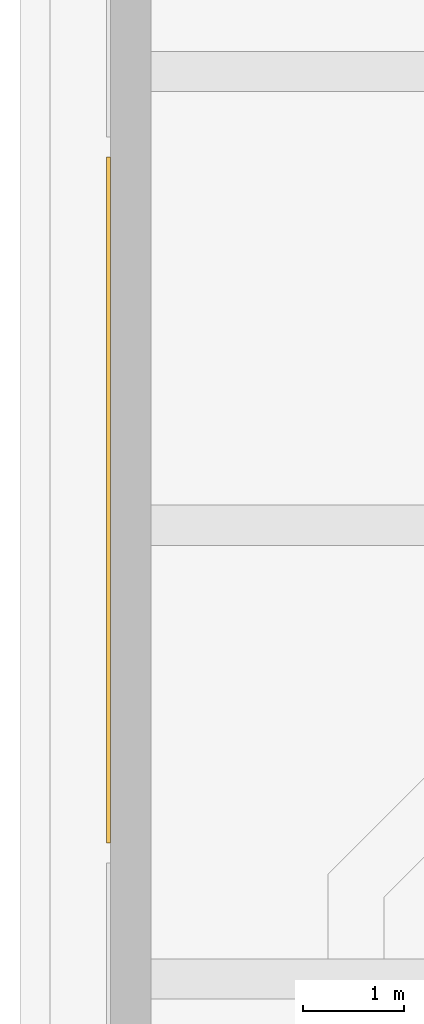
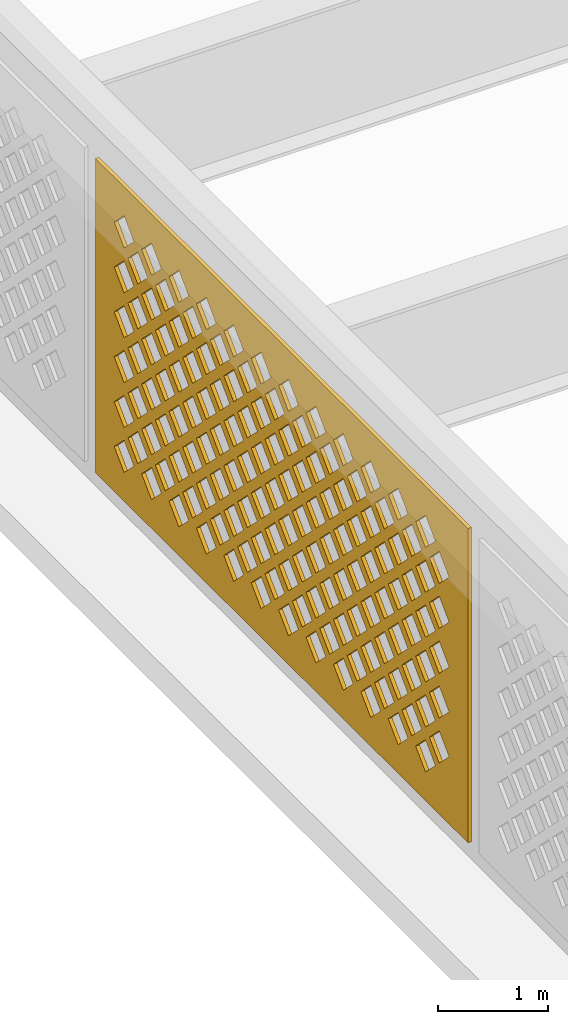
# One storey, part 28 of 63: 1 covering.
"""IFC4 building model written with IfcOpenShell, lengths in metres."""

from ifc_helpers import new_model, si_unit, direction, frame, origin, place, context, subcontext, project, spatial, polyline, outline, extrude, material, layer, layer_set, type_object, element, save


model = new_model("IFC4")

# Units and contexts
model_context = context("Model", 3, precision=1e-05, world=origin(), true_north=direction((0.0, 1.0)))
body_context = subcontext(model_context, "Body", "Model", "MODEL_VIEW")
ifc_project = project(units=[si_unit("LENGTHUNIT", "METRE"), si_unit("AREAUNIT", "SQUARE_METRE"), si_unit("VOLUMEUNIT", "CUBIC_METRE"), si_unit("PLANEANGLEUNIT", "RADIAN"), si_unit("MASSUNIT", "GRAM", prefix="KILO")], contexts=[model_context])

# Site, building, storey
site_placement = place(None, origin())
site = spatial("IfcSite", under=ifc_project, at=site_placement, CompositionType="ELEMENT")
building_placement = place(site_placement, origin())
building = spatial("IfcBuilding", under=site, at=building_placement, Name="Noorbagh Ring Tower", CompositionType="ELEMENT")
storey_placement = place(building_placement, frame((0.0, 0.0, 25.0)))
storey = spatial("IfcBuildingStorey", under=building, at=storey_placement, Name="L04", CompositionType="ELEMENT", Elevation=25.0)

# Covering
ifc_material = material(Name="Red sandstone jali", Category="masonry")
ifc_layer = layer(ifc_material, 0.0400390625)
ifc_layer_set = layer_set([ifc_layer], Name="Red sandstone jali")
covering_type = type_object("IfcCoveringType", Name="STH-BAND", PredefinedType="USERDEFINED", material=ifc_layer_set)
covering_placement = place(storey_placement, frame((-160.0400390625, 15.39990234375, 0.199951171875), z_axis=(-1.0, 0.0, 0.0), x_axis=(0.0, -1.0, 0.0)))
element("IfcCovering", 1, at=covering_placement, inside=storey, type_object=covering_type, Name="Jali band of the stage house", ObjectType="JALI SCREEN", PredefinedType="USERDEFINED", context=body_context, shape_type="SweptSolid", body=[
    extrude(outline(polyline([(0.0, 0.0), (6.7998046875, 0.0), (6.7998046875, 3.5), (0.0, 3.5), (0.0, 0.0)]), holes=[polyline([(0.344970703125, 0.5), (0.52490234375, 0.320068359375), (0.705078125, 0.5), (0.52490234375, 0.679931640625), (0.344970703125, 0.5)]), polyline([(0.844970703125, 0.5), (1.02490234375, 0.320068359375), (1.205078125, 0.5), (1.02490234375, 0.679931640625), (0.844970703125, 0.5)]), polyline([(1.344970703125, 0.5), (1.52490234375, 0.320068359375), (1.705078125, 0.5), (1.52490234375, 0.679931640625), (1.344970703125, 0.5)]), polyline([(1.844970703125, 0.5), (2.02490234375, 0.320068359375), (2.205078125, 0.5), (2.02490234375, 0.679931640625), (1.844970703125, 0.5)]), polyline([(2.344970703125, 0.5), (2.52490234375, 0.320068359375), (2.705078125, 0.5), (2.52490234375, 0.679931640625), (2.344970703125, 0.5)]), polyline([(2.844970703125, 0.5), (3.02490234375, 0.320068359375), (3.205078125, 0.5), (3.02490234375, 0.679931640625), (2.844970703125, 0.5)]), polyline([(3.344970703125, 0.5), (3.52490234375, 0.320068359375), (3.705078125, 0.5), (3.52490234375, 0.679931640625), (3.344970703125, 0.5)]), polyline([(3.844970703125, 0.5), (4.02490234375, 0.320068359375), (4.205078125, 0.5), (4.02490234375, 0.679931640625), (3.844970703125, 0.5)]), polyline([(4.344970703125, 0.5), (4.52490234375, 0.320068359375), (4.705078125, 0.5), (4.52490234375, 0.679931640625), (4.344970703125, 0.5)]), polyline([(4.844970703125, 0.5), (5.02490234375, 0.320068359375), (5.205078125, 0.5), (5.02490234375, 0.679931640625), (4.844970703125, 0.5)]), polyline([(5.344970703125, 0.5), (5.52490234375, 0.320068359375), (5.705078125, 0.5), (5.52490234375, 0.679931640625), (5.344970703125, 0.5)]), polyline([(5.844970703125, 0.5), (6.02490234375, 0.320068359375), (6.205078125, 0.5), (6.02490234375, 0.679931640625), (5.844970703125, 0.5)]), polyline([(0.594970703125, 0.75), (0.77490234375, 0.570068359375), (0.955078125, 0.75), (0.77490234375, 0.929931640625), (0.594970703125, 0.75)]), polyline([(1.094970703125, 0.75), (1.27490234375, 0.570068359375), (1.455078125, 0.75), (1.27490234375, 0.929931640625), (1.094970703125, 0.75)]), polyline([(1.594970703125, 0.75), (1.77490234375, 0.570068359375), (1.955078125, 0.75), (1.77490234375, 0.929931640625), (1.594970703125, 0.75)]), polyline([(2.094970703125, 0.75), (2.27490234375, 0.570068359375), (2.455078125, 0.75), (2.27490234375, 0.929931640625), (2.094970703125, 0.75)]), polyline([(2.594970703125, 0.75), (2.77490234375, 0.570068359375), (2.955078125, 0.75), (2.77490234375, 0.929931640625), (2.594970703125, 0.75)]), polyline([(3.094970703125, 0.75), (3.27490234375, 0.570068359375), (3.455078125, 0.75), (3.27490234375, 0.929931640625), (3.094970703125, 0.75)]), polyline([(3.594970703125, 0.75), (3.77490234375, 0.570068359375), (3.955078125, 0.75), (3.77490234375, 0.929931640625), (3.594970703125, 0.75)]), polyline([(4.094970703125, 0.75), (4.27490234375, 0.570068359375), (4.455078125, 0.75), (4.27490234375, 0.929931640625), (4.094970703125, 0.75)]), polyline([(4.594970703125, 0.75), (4.77490234375, 0.570068359375), (4.955078125, 0.75), (4.77490234375, 0.929931640625), (4.594970703125, 0.75)]), polyline([(5.094970703125, 0.75), (5.27490234375, 0.570068359375), (5.455078125, 0.75), (5.27490234375, 0.929931640625), (5.094970703125, 0.75)]), polyline([(5.594970703125, 0.75), (5.77490234375, 0.570068359375), (5.955078125, 0.75), (5.77490234375, 0.929931640625), (5.594970703125, 0.75)]), polyline([(6.094970703125, 0.75), (6.27490234375, 0.570068359375), (6.455078125, 0.75), (6.27490234375, 0.929931640625), (6.094970703125, 0.75)]), polyline([(0.344970703125, 1.0), (0.52490234375, 0.820068359375), (0.705078125, 1.0), (0.52490234375, 1.179931640625), (0.344970703125, 1.0)]), polyline([(0.844970703125, 1.0), (1.02490234375, 0.820068359375), (1.205078125, 1.0), (1.02490234375, 1.179931640625), (0.844970703125, 1.0)]), polyline([(1.344970703125, 1.0), (1.52490234375, 0.820068359375), (1.705078125, 1.0), (1.52490234375, 1.179931640625), (1.344970703125, 1.0)]), polyline([(1.844970703125, 1.0), (2.02490234375, 0.820068359375), (2.205078125, 1.0), (2.02490234375, 1.179931640625), (1.844970703125, 1.0)]), polyline([(2.344970703125, 1.0), (2.52490234375, 0.820068359375), (2.705078125, 1.0), (2.52490234375, 1.179931640625), (2.344970703125, 1.0)]), polyline([(2.844970703125, 1.0), (3.02490234375, 0.820068359375), (3.205078125, 1.0), (3.02490234375, 1.179931640625), (2.844970703125, 1.0)]), polyline([(3.344970703125, 1.0), (3.52490234375, 0.820068359375), (3.705078125, 1.0), (3.52490234375, 1.179931640625), (3.344970703125, 1.0)]), polyline([(3.844970703125, 1.0), (4.02490234375, 0.820068359375), (4.205078125, 1.0), (4.02490234375, 1.179931640625), (3.844970703125, 1.0)]), polyline([(4.344970703125, 1.0), (4.52490234375, 0.820068359375), (4.705078125, 1.0), (4.52490234375, 1.179931640625), (4.344970703125, 1.0)]), polyline([(4.844970703125, 1.0), (5.02490234375, 0.820068359375), (5.205078125, 1.0), (5.02490234375, 1.179931640625), (4.844970703125, 1.0)]), polyline([(5.344970703125, 1.0), (5.52490234375, 0.820068359375), (5.705078125, 1.0), (5.52490234375, 1.179931640625), (5.344970703125, 1.0)]), polyline([(5.844970703125, 1.0), (6.02490234375, 0.820068359375), (6.205078125, 1.0), (6.02490234375, 1.179931640625), (5.844970703125, 1.0)]), polyline([(0.594970703125, 1.25), (0.77490234375, 1.070068359375), (0.955078125, 1.25), (0.77490234375, 1.429931640625), (0.594970703125, 1.25)]), polyline([(1.094970703125, 1.25), (1.27490234375, 1.070068359375), (1.455078125, 1.25), (1.27490234375, 1.429931640625), (1.094970703125, 1.25)]), polyline([(1.594970703125, 1.25), (1.77490234375, 1.070068359375), (1.955078125, 1.25), (1.77490234375, 1.429931640625), (1.594970703125, 1.25)]), polyline([(2.094970703125, 1.25), (2.27490234375, 1.070068359375), (2.455078125, 1.25), (2.27490234375, 1.429931640625), (2.094970703125, 1.25)]), polyline([(2.594970703125, 1.25), (2.77490234375, 1.070068359375), (2.955078125, 1.25), (2.77490234375, 1.429931640625), (2.594970703125, 1.25)]), polyline([(3.094970703125, 1.25), (3.27490234375, 1.070068359375), (3.455078125, 1.25), (3.27490234375, 1.429931640625), (3.094970703125, 1.25)]), polyline([(3.594970703125, 1.25), (3.77490234375, 1.070068359375), (3.955078125, 1.25), (3.77490234375, 1.429931640625), (3.594970703125, 1.25)]), polyline([(4.094970703125, 1.25), (4.27490234375, 1.070068359375), (4.455078125, 1.25), (4.27490234375, 1.429931640625), (4.094970703125, 1.25)]), polyline([(4.594970703125, 1.25), (4.77490234375, 1.070068359375), (4.955078125, 1.25), (4.77490234375, 1.429931640625), (4.594970703125, 1.25)]), polyline([(5.094970703125, 1.25), (5.27490234375, 1.070068359375), (5.455078125, 1.25), (5.27490234375, 1.429931640625), (5.094970703125, 1.25)]), polyline([(5.594970703125, 1.25), (5.77490234375, 1.070068359375), (5.955078125, 1.25), (5.77490234375, 1.429931640625), (5.594970703125, 1.25)]), polyline([(6.094970703125, 1.25), (6.27490234375, 1.070068359375), (6.455078125, 1.25), (6.27490234375, 1.429931640625), (6.094970703125, 1.25)]), polyline([(0.344970703125, 1.5), (0.52490234375, 1.320068359375), (0.705078125, 1.5), (0.52490234375, 1.679931640625), (0.344970703125, 1.5)]), polyline([(0.844970703125, 1.5), (1.02490234375, 1.320068359375), (1.205078125, 1.5), (1.02490234375, 1.679931640625), (0.844970703125, 1.5)]), polyline([(1.344970703125, 1.5), (1.52490234375, 1.320068359375), (1.705078125, 1.5), (1.52490234375, 1.679931640625), (1.344970703125, 1.5)]), polyline([(1.844970703125, 1.5), (2.02490234375, 1.320068359375), (2.205078125, 1.5), (2.02490234375, 1.679931640625), (1.844970703125, 1.5)]), polyline([(2.344970703125, 1.5), (2.52490234375, 1.320068359375), (2.705078125, 1.5), (2.52490234375, 1.679931640625), (2.344970703125, 1.5)]), polyline([(2.844970703125, 1.5), (3.02490234375, 1.320068359375), (3.205078125, 1.5), (3.02490234375, 1.679931640625), (2.844970703125, 1.5)]), polyline([(3.344970703125, 1.5), (3.52490234375, 1.320068359375), (3.705078125, 1.5), (3.52490234375, 1.679931640625), (3.344970703125, 1.5)]), polyline([(3.844970703125, 1.5), (4.02490234375, 1.320068359375), (4.205078125, 1.5), (4.02490234375, 1.679931640625), (3.844970703125, 1.5)]), polyline([(4.344970703125, 1.5), (4.52490234375, 1.320068359375), (4.705078125, 1.5), (4.52490234375, 1.679931640625), (4.344970703125, 1.5)]), polyline([(4.844970703125, 1.5), (5.02490234375, 1.320068359375), (5.205078125, 1.5), (5.02490234375, 1.679931640625), (4.844970703125, 1.5)]), polyline([(5.344970703125, 1.5), (5.52490234375, 1.320068359375), (5.705078125, 1.5), (5.52490234375, 1.679931640625), (5.344970703125, 1.5)]), polyline([(5.844970703125, 1.5), (6.02490234375, 1.320068359375), (6.205078125, 1.5), (6.02490234375, 1.679931640625), (5.844970703125, 1.5)]), polyline([(0.594970703125, 1.75), (0.77490234375, 1.570068359375), (0.955078125, 1.75), (0.77490234375, 1.929931640625), (0.594970703125, 1.75)]), polyline([(1.094970703125, 1.75), (1.27490234375, 1.570068359375), (1.455078125, 1.75), (1.27490234375, 1.929931640625), (1.094970703125, 1.75)]), polyline([(1.594970703125, 1.75), (1.77490234375, 1.570068359375), (1.955078125, 1.75), (1.77490234375, 1.929931640625), (1.594970703125, 1.75)]), polyline([(2.094970703125, 1.75), (2.27490234375, 1.570068359375), (2.455078125, 1.75), (2.27490234375, 1.929931640625), (2.094970703125, 1.75)]), polyline([(2.594970703125, 1.75), (2.77490234375, 1.570068359375), (2.955078125, 1.75), (2.77490234375, 1.929931640625), (2.594970703125, 1.75)]), polyline([(3.094970703125, 1.75), (3.27490234375, 1.570068359375), (3.455078125, 1.75), (3.27490234375, 1.929931640625), (3.094970703125, 1.75)]), polyline([(3.594970703125, 1.75), (3.77490234375, 1.570068359375), (3.955078125, 1.75), (3.77490234375, 1.929931640625), (3.594970703125, 1.75)]), polyline([(4.094970703125, 1.75), (4.27490234375, 1.570068359375), (4.455078125, 1.75), (4.27490234375, 1.929931640625), (4.094970703125, 1.75)]), polyline([(4.594970703125, 1.75), (4.77490234375, 1.570068359375), (4.955078125, 1.75), (4.77490234375, 1.929931640625), (4.594970703125, 1.75)]), polyline([(5.094970703125, 1.75), (5.27490234375, 1.570068359375), (5.455078125, 1.75), (5.27490234375, 1.929931640625), (5.094970703125, 1.75)]), polyline([(5.594970703125, 1.75), (5.77490234375, 1.570068359375), (5.955078125, 1.75), (5.77490234375, 1.929931640625), (5.594970703125, 1.75)]), polyline([(6.094970703125, 1.75), (6.27490234375, 1.570068359375), (6.455078125, 1.75), (6.27490234375, 1.929931640625), (6.094970703125, 1.75)]), polyline([(0.344970703125, 2.0), (0.52490234375, 1.820068359375), (0.705078125, 2.0), (0.52490234375, 2.179931640625), (0.344970703125, 2.0)]), polyline([(0.844970703125, 2.0), (1.02490234375, 1.820068359375), (1.205078125, 2.0), (1.02490234375, 2.179931640625), (0.844970703125, 2.0)]), polyline([(1.344970703125, 2.0), (1.52490234375, 1.820068359375), (1.705078125, 2.0), (1.52490234375, 2.179931640625), (1.344970703125, 2.0)]), polyline([(1.844970703125, 2.0), (2.02490234375, 1.820068359375), (2.205078125, 2.0), (2.02490234375, 2.179931640625), (1.844970703125, 2.0)]), polyline([(2.344970703125, 2.0), (2.52490234375, 1.820068359375), (2.705078125, 2.0), (2.52490234375, 2.179931640625), (2.344970703125, 2.0)]), polyline([(2.844970703125, 2.0), (3.02490234375, 1.820068359375), (3.205078125, 2.0), (3.02490234375, 2.179931640625), (2.844970703125, 2.0)]), polyline([(3.344970703125, 2.0), (3.52490234375, 1.820068359375), (3.705078125, 2.0), (3.52490234375, 2.179931640625), (3.344970703125, 2.0)]), polyline([(3.844970703125, 2.0), (4.02490234375, 1.820068359375), (4.205078125, 2.0), (4.02490234375, 2.179931640625), (3.844970703125, 2.0)]), polyline([(4.344970703125, 2.0), (4.52490234375, 1.820068359375), (4.705078125, 2.0), (4.52490234375, 2.179931640625), (4.344970703125, 2.0)]), polyline([(4.844970703125, 2.0), (5.02490234375, 1.820068359375), (5.205078125, 2.0), (5.02490234375, 2.179931640625), (4.844970703125, 2.0)]), polyline([(5.344970703125, 2.0), (5.52490234375, 1.820068359375), (5.705078125, 2.0), (5.52490234375, 2.179931640625), (5.344970703125, 2.0)]), polyline([(5.844970703125, 2.0), (6.02490234375, 1.820068359375), (6.205078125, 2.0), (6.02490234375, 2.179931640625), (5.844970703125, 2.0)]), polyline([(0.594970703125, 2.25), (0.77490234375, 2.070068359375), (0.955078125, 2.25), (0.77490234375, 2.429931640625), (0.594970703125, 2.25)]), polyline([(1.094970703125, 2.25), (1.27490234375, 2.070068359375), (1.455078125, 2.25), (1.27490234375, 2.429931640625), (1.094970703125, 2.25)]), polyline([(1.594970703125, 2.25), (1.77490234375, 2.070068359375), (1.955078125, 2.25), (1.77490234375, 2.429931640625), (1.594970703125, 2.25)]), polyline([(2.094970703125, 2.25), (2.27490234375, 2.070068359375), (2.455078125, 2.25), (2.27490234375, 2.429931640625), (2.094970703125, 2.25)]), polyline([(2.594970703125, 2.25), (2.77490234375, 2.070068359375), (2.955078125, 2.25), (2.77490234375, 2.429931640625), (2.594970703125, 2.25)]), polyline([(3.094970703125, 2.25), (3.27490234375, 2.070068359375), (3.455078125, 2.25), (3.27490234375, 2.429931640625), (3.094970703125, 2.25)]), polyline([(3.594970703125, 2.25), (3.77490234375, 2.070068359375), (3.955078125, 2.25), (3.77490234375, 2.429931640625), (3.594970703125, 2.25)]), polyline([(4.094970703125, 2.25), (4.27490234375, 2.070068359375), (4.455078125, 2.25), (4.27490234375, 2.429931640625), (4.094970703125, 2.25)]), polyline([(4.594970703125, 2.25), (4.77490234375, 2.070068359375), (4.955078125, 2.25), (4.77490234375, 2.429931640625), (4.594970703125, 2.25)]), polyline([(5.094970703125, 2.25), (5.27490234375, 2.070068359375), (5.455078125, 2.25), (5.27490234375, 2.429931640625), (5.094970703125, 2.25)]), polyline([(5.594970703125, 2.25), (5.77490234375, 2.070068359375), (5.955078125, 2.25), (5.77490234375, 2.429931640625), (5.594970703125, 2.25)]), polyline([(6.094970703125, 2.25), (6.27490234375, 2.070068359375), (6.455078125, 2.25), (6.27490234375, 2.429931640625), (6.094970703125, 2.25)]), polyline([(0.344970703125, 2.5), (0.52490234375, 2.320068359375), (0.705078125, 2.5), (0.52490234375, 2.679931640625), (0.344970703125, 2.5)]), polyline([(0.844970703125, 2.5), (1.02490234375, 2.320068359375), (1.205078125, 2.5), (1.02490234375, 2.679931640625), (0.844970703125, 2.5)]), polyline([(1.344970703125, 2.5), (1.52490234375, 2.320068359375), (1.705078125, 2.5), (1.52490234375, 2.679931640625), (1.344970703125, 2.5)]), polyline([(1.844970703125, 2.5), (2.02490234375, 2.320068359375), (2.205078125, 2.5), (2.02490234375, 2.679931640625), (1.844970703125, 2.5)]), polyline([(2.344970703125, 2.5), (2.52490234375, 2.320068359375), (2.705078125, 2.5), (2.52490234375, 2.679931640625), (2.344970703125, 2.5)]), polyline([(2.844970703125, 2.5), (3.02490234375, 2.320068359375), (3.205078125, 2.5), (3.02490234375, 2.679931640625), (2.844970703125, 2.5)]), polyline([(3.344970703125, 2.5), (3.52490234375, 2.320068359375), (3.705078125, 2.5), (3.52490234375, 2.679931640625), (3.344970703125, 2.5)]), polyline([(3.844970703125, 2.5), (4.02490234375, 2.320068359375), (4.205078125, 2.5), (4.02490234375, 2.679931640625), (3.844970703125, 2.5)]), polyline([(4.344970703125, 2.5), (4.52490234375, 2.320068359375), (4.705078125, 2.5), (4.52490234375, 2.679931640625), (4.344970703125, 2.5)]), polyline([(4.844970703125, 2.5), (5.02490234375, 2.320068359375), (5.205078125, 2.5), (5.02490234375, 2.679931640625), (4.844970703125, 2.5)]), polyline([(5.344970703125, 2.5), (5.52490234375, 2.320068359375), (5.705078125, 2.5), (5.52490234375, 2.679931640625), (5.344970703125, 2.5)]), polyline([(5.844970703125, 2.5), (6.02490234375, 2.320068359375), (6.205078125, 2.5), (6.02490234375, 2.679931640625), (5.844970703125, 2.5)]), polyline([(0.594970703125, 2.75), (0.77490234375, 2.570068359375), (0.955078125, 2.75), (0.77490234375, 2.929931640625), (0.594970703125, 2.75)]), polyline([(1.094970703125, 2.75), (1.27490234375, 2.570068359375), (1.455078125, 2.75), (1.27490234375, 2.929931640625), (1.094970703125, 2.75)]), polyline([(1.594970703125, 2.75), (1.77490234375, 2.570068359375), (1.955078125, 2.75), (1.77490234375, 2.929931640625), (1.594970703125, 2.75)]), polyline([(2.094970703125, 2.75), (2.27490234375, 2.570068359375), (2.455078125, 2.75), (2.27490234375, 2.929931640625), (2.094970703125, 2.75)]), polyline([(2.594970703125, 2.75), (2.77490234375, 2.570068359375), (2.955078125, 2.75), (2.77490234375, 2.929931640625), (2.594970703125, 2.75)]), polyline([(3.094970703125, 2.75), (3.27490234375, 2.570068359375), (3.455078125, 2.75), (3.27490234375, 2.929931640625), (3.094970703125, 2.75)]), polyline([(3.594970703125, 2.75), (3.77490234375, 2.570068359375), (3.955078125, 2.75), (3.77490234375, 2.929931640625), (3.594970703125, 2.75)]), polyline([(4.094970703125, 2.75), (4.27490234375, 2.570068359375), (4.455078125, 2.75), (4.27490234375, 2.929931640625), (4.094970703125, 2.75)]), polyline([(4.594970703125, 2.75), (4.77490234375, 2.570068359375), (4.955078125, 2.75), (4.77490234375, 2.929931640625), (4.594970703125, 2.75)]), polyline([(5.094970703125, 2.75), (5.27490234375, 2.570068359375), (5.455078125, 2.75), (5.27490234375, 2.929931640625), (5.094970703125, 2.75)]), polyline([(5.594970703125, 2.75), (5.77490234375, 2.570068359375), (5.955078125, 2.75), (5.77490234375, 2.929931640625), (5.594970703125, 2.75)]), polyline([(6.094970703125, 2.75), (6.27490234375, 2.570068359375), (6.455078125, 2.75), (6.27490234375, 2.929931640625), (6.094970703125, 2.75)]), polyline([(0.344970703125, 3.0), (0.52490234375, 2.820068359375), (0.705078125, 3.0), (0.52490234375, 3.179931640625), (0.344970703125, 3.0)]), polyline([(0.844970703125, 3.0), (1.02490234375, 2.820068359375), (1.205078125, 3.0), (1.02490234375, 3.179931640625), (0.844970703125, 3.0)]), polyline([(1.344970703125, 3.0), (1.52490234375, 2.820068359375), (1.705078125, 3.0), (1.52490234375, 3.179931640625), (1.344970703125, 3.0)]), polyline([(1.844970703125, 3.0), (2.02490234375, 2.820068359375), (2.205078125, 3.0), (2.02490234375, 3.179931640625), (1.844970703125, 3.0)]), polyline([(2.344970703125, 3.0), (2.52490234375, 2.820068359375), (2.705078125, 3.0), (2.52490234375, 3.179931640625), (2.344970703125, 3.0)]), polyline([(2.844970703125, 3.0), (3.02490234375, 2.820068359375), (3.205078125, 3.0), (3.02490234375, 3.179931640625), (2.844970703125, 3.0)]), polyline([(3.344970703125, 3.0), (3.52490234375, 2.820068359375), (3.705078125, 3.0), (3.52490234375, 3.179931640625), (3.344970703125, 3.0)]), polyline([(3.844970703125, 3.0), (4.02490234375, 2.820068359375), (4.205078125, 3.0), (4.02490234375, 3.179931640625), (3.844970703125, 3.0)]), polyline([(4.344970703125, 3.0), (4.52490234375, 2.820068359375), (4.705078125, 3.0), (4.52490234375, 3.179931640625), (4.344970703125, 3.0)]), polyline([(4.844970703125, 3.0), (5.02490234375, 2.820068359375), (5.205078125, 3.0), (5.02490234375, 3.179931640625), (4.844970703125, 3.0)]), polyline([(5.344970703125, 3.0), (5.52490234375, 2.820068359375), (5.705078125, 3.0), (5.52490234375, 3.179931640625), (5.344970703125, 3.0)]), polyline([(5.844970703125, 3.0), (6.02490234375, 2.820068359375), (6.205078125, 3.0), (6.02490234375, 3.179931640625), (5.844970703125, 3.0)])]), origin(), (0.0, 0.0, -1.0), 0.0400390625),
])

save(model, "model.ifc")
